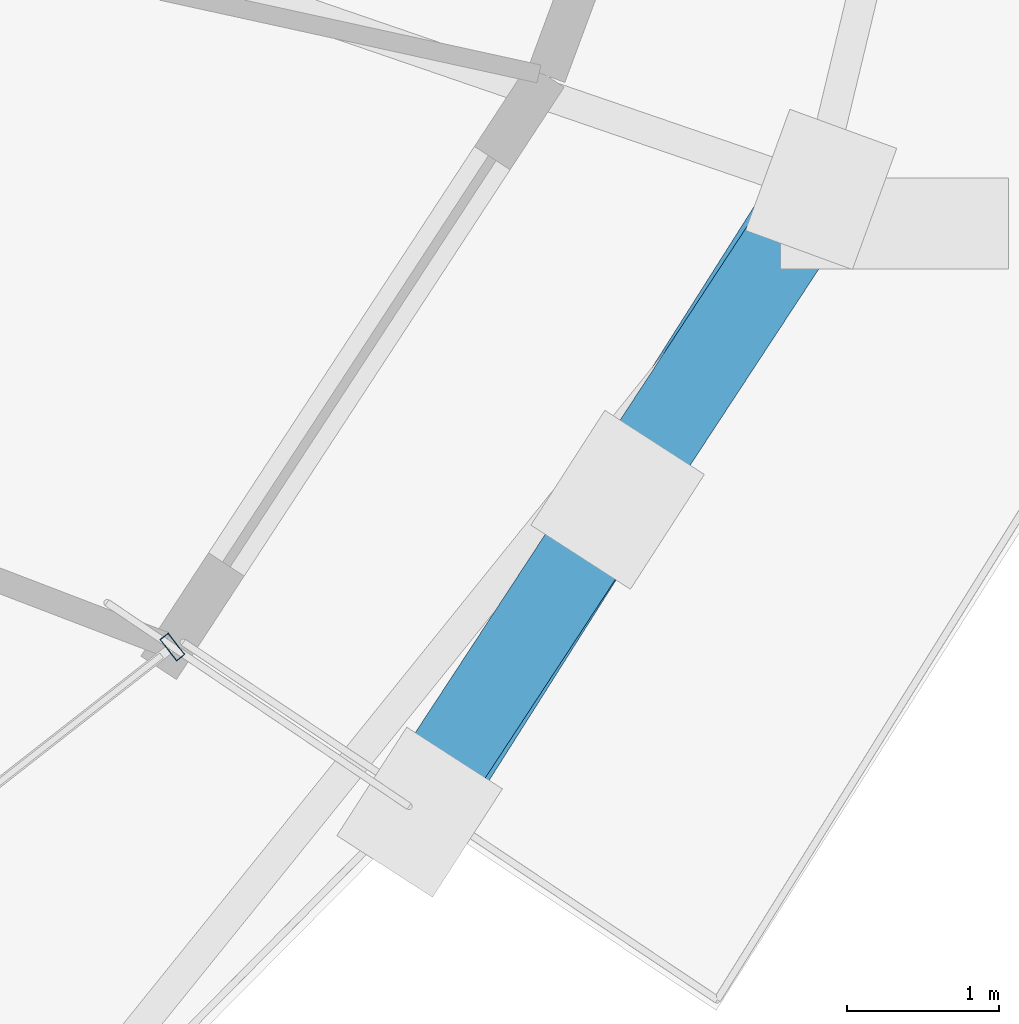
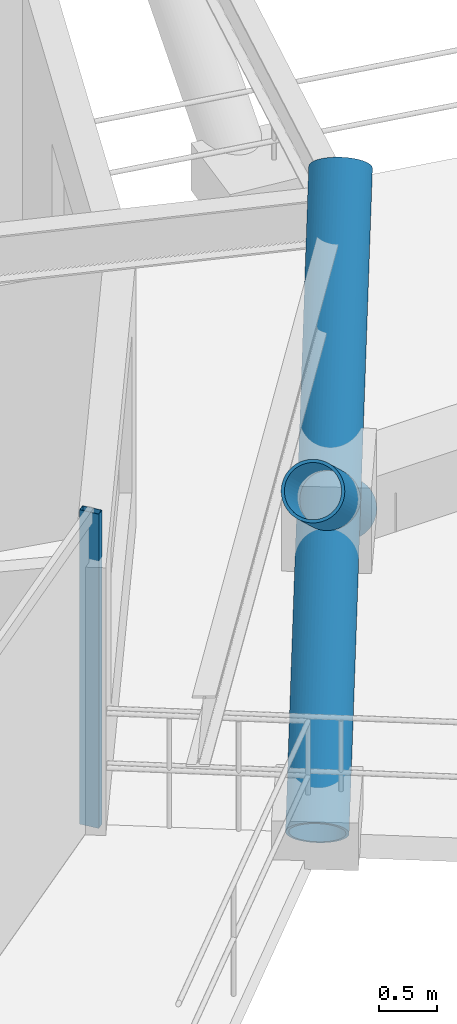
# One storey, part 4 of 12: 4 members, 1 element without a shape of its own.
"""IFC4 building model written with IfcOpenShell, lengths in metres."""

from ifc_helpers import new_model, si_unit, direction, frame, origin, origin_2d, place, context, subcontext, project, spatial, hollow_rectangle, hollow_circle, extrude, material, layer, layer_set, material_profile, profile_set, type_object, element, aggregate, save


model = new_model("IFC4")

# Units and contexts
model_context = context("Model", 3, precision=1e-05, world=origin(), true_north=direction((0.0, 1.0)))
body_context = subcontext(model_context, "Body", "Model", "MODEL_VIEW")
ifc_project = project(units=[si_unit("LENGTHUNIT", "METRE"), si_unit("AREAUNIT", "SQUARE_METRE"), si_unit("VOLUMEUNIT", "CUBIC_METRE"), si_unit("PLANEANGLEUNIT", "RADIAN"), si_unit("MASSUNIT", "GRAM", prefix="KILO")], contexts=[model_context])

# Site, building, storey
site_placement = place(None, origin())
site = spatial("IfcSite", under=ifc_project, at=site_placement, CompositionType="ELEMENT")
building_placement = place(site_placement, origin())
building = spatial("IfcBuilding", under=site, at=building_placement, Name="Veldorina Hangang Commons", CompositionType="ELEMENT")
storey_placement = place(building_placement, frame((0.0, 0.0, 124.39990234375)))
storey = spatial("IfcBuildingStorey", under=building, at=storey_placement, Name="L31", CompositionType="ELEMENT", Elevation=124.39990234375)

# Curtain wall, member
ifc_material_1 = material(Name="Glass Low-E Triple IGU", Category="glass")
ifc_layer = layer(ifc_material_1, 0.179931640625)
ifc_layer_set = layer_set([ifc_layer], Name="Glass Low-E Triple IGU")
curtain_wall_type = type_object("IfcCurtainWallType", Name="CW-SYS-Z2", PredefinedType="NOTDEFINED", material=ifc_layer_set)
curtain_wall_placement = place(storey_placement, origin())
curtain_wall = element("IfcCurtainWall", 1, at=curtain_wall_placement, inside=storey, type_object=curtain_wall_type, Name="L31 unitised curtain wall CW-L31-R2", PredefinedType="NOTDEFINED")
ifc_material_2 = material(Name="Aluminium Anodized AA6063-T6", Category="aluminium")
ifc_material_profile_1 = material_profile(ifc_material_2, hollow_rectangle(XDim=0.070068359375, YDim=0.179931640625, WallThickness=0.00390625, at=origin_2d()), Name="ALU-RHS-180x70x4")
ifc_profile_set_1 = profile_set([ifc_material_profile_1], Name="Aluminium Anodized AA6063-T6")
member_type_1 = type_object("IfcMemberType", Name="CW-MUL-180", PredefinedType="MULLION", material=ifc_profile_set_1)
member_1_placement = place(storey_placement, frame((54.172607421875, 11.900390625, 0.0), z_axis=(0.0, 0.0, 1.0), x_axis=(-0.787602258173, -0.616183968406, 0.0)))
member_1 = element("IfcMember", 2, at=member_1_placement, type_object=member_type_1, Name="CW-L31-R2 vertical mullion 2", PredefinedType="MULLION", context=body_context, shape_type="SweptSolid", body=[
    extrude(hollow_rectangle(XDim=0.070068359375, YDim=0.179931640625, WallThickness=0.00390625, at=origin_2d()), origin(), (0.0, 0.0, 1.0), 3.31005859375),
])
aggregate(curtain_wall, [member_1])

# Members
ifc_material_3 = material(Name="Steel SM420-TMC", Category="steel")
ifc_material_profile_2 = material_profile(ifc_material_3, hollow_circle(Radius=0.27490234375, WallThickness=0.028076171875, at=origin_2d()), Name="CHS-550x28")
ifc_profile_set_2 = profile_set([ifc_material_profile_2], Name="Steel SM420-TMC")
member_type_2 = type_object("IfcMemberType", Name="DG-CHS550", PredefinedType="BRACE", material=ifc_profile_set_2)
member_2_placement = place(storey_placement, frame((55.802001953125, 10.8115234375, 0.0), z_axis=(0.430482797175, 0.679317249919, 0.59431694852), x_axis=(-0.844679354173, 0.535272630194, 0.0)))
element("IfcMember", 3, at=member_2_placement, inside=storey, type_object=member_type_2, Name="L31 continuous perimeter diagrid brace 29", PredefinedType="BRACE", context=body_context, shape_type="SweptSolid", body=[
    extrude(hollow_circle(Radius=0.27490234375, WallThickness=0.028076171875, at=origin_2d()), origin(), (0.0, 0.0, 1.0), 6.0576171875),
])
member_3_placement = place(storey_placement, frame((58.447509765625, 14.91552734375, 0.0), z_axis=(-0.441454172708, -0.673354261613, 0.593053329614), x_axis=(0.836295396264, -0.548279135285, 0.0)))
element("IfcMember", 4, at=member_3_placement, inside=storey, type_object=member_type_2, Name="L31 split perimeter diagrid lower brace 30", PredefinedType="BRACE", context=body_context, shape_type="SweptSolid", body=[
    extrude(hollow_circle(Radius=0.27490234375, WallThickness=0.028076171875, at=origin_2d()), origin(), (0.0, 0.0, 1.0), 3.037353515625),
])
member_4_placement = place(storey_placement, frame((57.106689453125, 12.870361328125, 1.80126953125), z_axis=(-0.441296999429, -0.673495037611, 0.593010448987), x_axis=(0.836437428588, -0.548062430802, 0.0)))
element("IfcMember", 5, at=member_4_placement, inside=storey, type_object=member_type_2, Name="L31 split perimeter diagrid upper brace 30", PredefinedType="BRACE", context=body_context, shape_type="SweptSolid", body=[
    extrude(hollow_circle(Radius=0.27490234375, WallThickness=0.028076171875, at=origin_2d()), origin(), (0.0, 0.0, 1.0), 3.033447265625),
])

save(model, "model.ifc")
